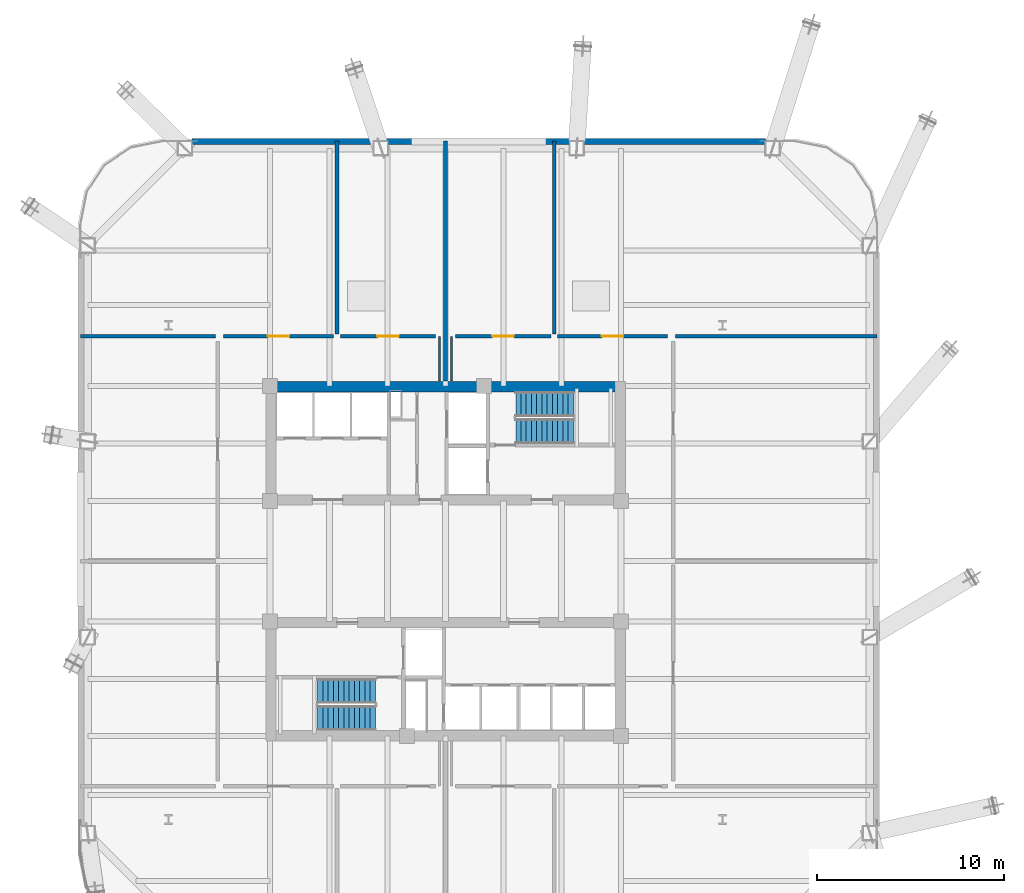
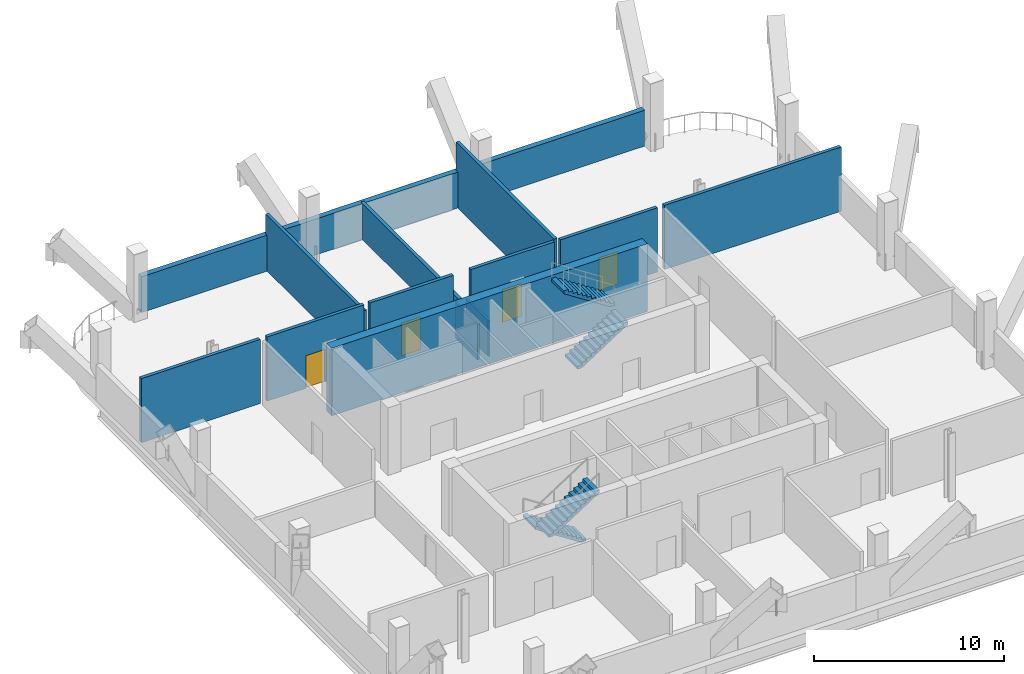
# One storey, part 5 of 8: 13 walls, 4 doors, 4 stair flights, 4 openings, 2 elements without a shape of their own.
"""IFC4 building model written with IfcOpenShell, lengths in metres."""

from ifc_helpers import new_model, si_unit, direction, frame, frame_2d, origin, place, context, subcontext, project, spatial, polyline, rectangle, outline, extrude, material, layer, layer_set, type_object, element, fill, aggregate, save


model = new_model("IFC4")

# Units and contexts
model_context = context("Model", 3, precision=1e-05, world=origin(), true_north=direction((0.0, 1.0)))
body_context = subcontext(model_context, "Body", "Model", "MODEL_VIEW")
ifc_project = project(units=[si_unit("LENGTHUNIT", "METRE"), si_unit("AREAUNIT", "SQUARE_METRE"), si_unit("VOLUMEUNIT", "CUBIC_METRE"), si_unit("PLANEANGLEUNIT", "RADIAN"), si_unit("MASSUNIT", "GRAM", prefix="KILO")], contexts=[model_context])

# Site, building, storey
site_placement = place(None, origin())
site = spatial("IfcSite", under=ifc_project, at=site_placement, CompositionType="ELEMENT")
building_placement = place(site_placement, origin())
building = spatial("IfcBuilding", under=site, at=building_placement, Name="Qhalaya Broadcast Tower", CompositionType="ELEMENT")
storey_placement = place(building_placement, frame((0.0, 0.0, 65.10009765625)))
storey = spatial("IfcBuildingStorey", under=building, at=storey_placement, Name="L18", CompositionType="ELEMENT", Elevation=65.10009765625)

# Wall
ifc_material_1 = material(Name="Gypsum Acoustic Partition")
ifc_layer_1 = layer(ifc_material_1, 0.199951171875, Name="Gypsum Acoustic Partition")
ifc_layer_set_1 = layer_set([ifc_layer_1], Name="Gypsum Acoustic Partition")
wall_type_1 = type_object("IfcWallType", Name="Firefighting Lobby & Stair Enclosure Wall 200", PredefinedType="PARTITIONING", material=ifc_layer_set_1)
wall_1_placement = place(storey_placement, frame((0.0, 10.239990234375, 0.0), z_axis=(0.0, 0.0, 1.0), x_axis=(0.0, 1.0, 0.0)))
element("IfcWall", 1, at=wall_1_placement, inside=storey, type_object=wall_type_1, Name="L18 Partition Wall W-OBN", PredefinedType="PARTITIONING", context=body_context, shape_type="SweptSolid", body=[
    extrude(rectangle(XDim=12.81005859375, YDim=0.199951171875, at=frame_2d((6.405029296875, 0.0))), origin(), (0.0, 0.0, 1.0), 2.309814453125),
])

# Wall, opening, door
wall_2_placement = place(storey_placement, frame((-11.8701171875, 12.6201171875, 0.0), z_axis=(0.0, 0.0, 1.0), x_axis=(1.0, 0.0, 0.0)))
wall_2 = element("IfcWall", 2, at=wall_2_placement, inside=storey, type_object=wall_type_1, Name="L18 Partition Wall W-PCN0", PredefinedType="PARTITIONING", context=body_context, shape_type="SweptSolid", body=[
    extrude(rectangle(XDim=5.89013671875, YDim=0.199951171875, at=frame_2d((2.945068359375, 0.0))), origin(), (0.0, 0.0, 1.0), 4.1298828125),
])
opening_1_placement = place(wall_2_placement, frame((2.3701171875, 0.0, 0.0)))
opening_1 = element("IfcOpeningElement", 3, at=opening_1_placement, cuts=wall_2, Name="Opening D05", PredefinedType="OPENING", context=body_context, shape_type="SweptSolid", body=[
    extrude(rectangle(XDim=1.14990234375, YDim=2.10009765625, at=frame_2d((0.574951171875, 1.050048828125))), frame((0.0, 0.112060546875, 0.0), z_axis=(0.0, -1.0, 0.0), x_axis=(1.0, 0.0, 0.0)), (0.0, 0.0, 1.0), 0.223876953125),
])
ifc_material_2 = material(Name="Fire-Rated Steel Door", Category="steel")
door_type = type_object("IfcDoorType", Name="Refuge & Plant Room Fire Door D05", OperationType="NOTDEFINED", PredefinedType="DOOR", material=ifc_material_2)
door_1_placement = place(opening_1_placement, origin())
door_1 = element("IfcDoor", 4, at=door_1_placement, inside=storey, type_object=door_type, Name="L18 Door D-PCN0", OperationType="SINGLE_SWING_LEFT", OverallHeight=2.10009765625, OverallWidth=1.14990234375, PredefinedType="DOOR", context=body_context, shape_type="SweptSolid", body=[
    extrude(rectangle(XDim=1.14990234375, YDim=2.10009765625, at=frame_2d((0.574951171875, 1.050048828125))), frame((0.0, 0.02490234375, 0.0), z_axis=(0.0, -1.0, 0.0), x_axis=(1.0, 0.0, 0.0)), (0.0, 0.0, 1.0), 0.050048828125),
])
fill(opening_1, door_1)

# Wall
wall_3_placement = place(storey_placement, frame((-5.800048828125, 12.739990234375, 0.0), z_axis=(0.0, 0.0, 1.0), x_axis=(0.0, 1.0, 0.0)))
element("IfcWall", 5, at=wall_3_placement, inside=storey, type_object=wall_type_1, Name="L18 Partition Wall W-PDN1", PredefinedType="PARTITIONING", context=body_context, shape_type="SweptSolid", body=[
    extrude(rectangle(XDim=10.31005859375, YDim=0.199951171875, at=frame_2d((5.155029296875, 0.0))), origin(), (0.0, 0.0, 1.0), 3.573974609375),
])

# Wall, opening, door
wall_4_placement = place(storey_placement, frame((-5.6201171875, 12.6201171875, 0.0), z_axis=(0.0, 0.0, 1.0), x_axis=(1.0, 0.0, 0.0)))
wall_4 = element("IfcWall", 6, at=wall_4_placement, inside=storey, type_object=wall_type_1, Name="L18 Partition Wall W-PCN1", PredefinedType="PARTITIONING", context=body_context, shape_type="SweptSolid", body=[
    extrude(rectangle(XDim=5.090087890625, YDim=0.199951171875, at=frame_2d((2.544921875, 0.0))), origin(), (0.0, 0.0, 1.0), 4.1298828125),
])
opening_2_placement = place(wall_4_placement, frame((1.969970703125, 0.0, 0.0)))
opening_2 = element("IfcOpeningElement", 7, at=opening_2_placement, cuts=wall_4, Name="Opening D05", PredefinedType="OPENING", context=body_context, shape_type="SweptSolid", body=[
    extrude(rectangle(XDim=1.14990234375, YDim=2.10009765625, at=frame_2d((0.574951171875, 1.050048828125))), frame((0.0, 0.112060546875, 0.0), z_axis=(0.0, -1.0, 0.0), x_axis=(1.0, 0.0, 0.0)), (0.0, 0.0, 1.0), 0.223876953125),
])
door_2_placement = place(opening_2_placement, origin())
door_2 = element("IfcDoor", 8, at=door_2_placement, inside=storey, type_object=door_type, Name="L18 Door D-PCN1", OperationType="SINGLE_SWING_LEFT", OverallHeight=2.10009765625, OverallWidth=1.14990234375, PredefinedType="DOOR", context=body_context, shape_type="SweptSolid", body=[
    extrude(rectangle(XDim=1.14990234375, YDim=2.10009765625, at=frame_2d((0.574951171875, 1.050048828125))), frame((0.0, 0.02490234375, 0.0), z_axis=(0.0, -1.0, 0.0), x_axis=(1.0, 0.0, 0.0)), (0.0, 0.0, 1.0), 0.050048828125),
])
fill(opening_2, door_2)

wall_5_placement = place(storey_placement, frame((0.530029296875, 12.6201171875, 0.0), z_axis=(0.0, 0.0, 1.0), x_axis=(1.0, 0.0, 0.0)))
wall_5 = element("IfcWall", 9, at=wall_5_placement, inside=storey, type_object=wall_type_1, Name="L18 Partition Wall W-PCN2", PredefinedType="PARTITIONING", context=body_context, shape_type="SweptSolid", body=[
    extrude(rectangle(XDim=5.090087890625, YDim=0.199951171875, at=frame_2d((2.544921875, 0.0))), origin(), (0.0, 0.0, 1.0), 4.1298828125),
])
opening_3_placement = place(wall_5_placement, frame((1.969970703125, 0.0, 0.0)))
opening_3 = element("IfcOpeningElement", 10, at=opening_3_placement, cuts=wall_5, Name="Opening D05", PredefinedType="OPENING", context=body_context, shape_type="SweptSolid", body=[
    extrude(rectangle(XDim=1.14990234375, YDim=2.10009765625, at=frame_2d((0.574951171875, 1.050048828125))), frame((0.0, 0.112060546875, 0.0), z_axis=(0.0, -1.0, 0.0), x_axis=(1.0, 0.0, 0.0)), (0.0, 0.0, 1.0), 0.223876953125),
])
door_3_placement = place(opening_3_placement, origin())
door_3 = element("IfcDoor", 11, at=door_3_placement, inside=storey, type_object=door_type, Name="L18 Door D-PCN2", OperationType="SINGLE_SWING_LEFT", OverallHeight=2.10009765625, OverallWidth=1.14990234375, PredefinedType="DOOR", context=body_context, shape_type="SweptSolid", body=[
    extrude(rectangle(XDim=1.14990234375, YDim=2.10009765625, at=frame_2d((0.574951171875, 1.050048828125))), frame((0.0, 0.02490234375, 0.0), z_axis=(0.0, -1.0, 0.0), x_axis=(1.0, 0.0, 0.0)), (0.0, 0.0, 1.0), 0.050048828125),
])
fill(opening_3, door_3)

# Wall
wall_6_placement = place(storey_placement, frame((5.800048828125, 12.739990234375, 0.0), z_axis=(0.0, 0.0, 1.0), x_axis=(0.0, 1.0, 0.0)))
element("IfcWall", 12, at=wall_6_placement, inside=storey, type_object=wall_type_1, Name="L18 Partition Wall W-PDN3", PredefinedType="PARTITIONING", context=body_context, shape_type="SweptSolid", body=[
    extrude(rectangle(XDim=10.31005859375, YDim=0.199951171875, at=frame_2d((5.155029296875, 0.0))), origin(), (0.0, 0.0, 1.0), 4.1298828125),
])

# Wall, opening, door
wall_7_placement = place(storey_placement, frame((5.97998046875, 12.6201171875, 0.0), z_axis=(0.0, 0.0, 1.0), x_axis=(1.0, 0.0, 0.0)))
wall_7 = element("IfcWall", 13, at=wall_7_placement, inside=storey, type_object=wall_type_1, Name="L18 Partition Wall W-PCN3", PredefinedType="PARTITIONING", context=body_context, shape_type="SweptSolid", body=[
    extrude(rectangle(XDim=5.89013671875, YDim=0.199951171875, at=frame_2d((2.945068359375, 0.0))), origin(), (0.0, 0.0, 1.0), 4.1298828125),
])
opening_4_placement = place(wall_7_placement, frame((2.3701171875, 0.0, 0.0)))
opening_4 = element("IfcOpeningElement", 14, at=opening_4_placement, cuts=wall_7, Name="Opening D05", PredefinedType="OPENING", context=body_context, shape_type="SweptSolid", body=[
    extrude(rectangle(XDim=1.14990234375, YDim=2.10009765625, at=frame_2d((0.574951171875, 1.050048828125))), frame((0.0, 0.112060546875, 0.0), z_axis=(0.0, -1.0, 0.0), x_axis=(1.0, 0.0, 0.0)), (0.0, 0.0, 1.0), 0.223876953125),
])
door_4_placement = place(opening_4_placement, origin())
door_4 = element("IfcDoor", 15, at=door_4_placement, inside=storey, type_object=door_type, Name="L18 Door D-PCN3", OperationType="SINGLE_SWING_LEFT", OverallHeight=2.10009765625, OverallWidth=1.14990234375, PredefinedType="DOOR", context=body_context, shape_type="SweptSolid", body=[
    extrude(rectangle(XDim=1.14990234375, YDim=2.10009765625, at=frame_2d((0.574951171875, 1.050048828125))), frame((0.0, 0.02490234375, 0.0), z_axis=(0.0, -1.0, 0.0), x_axis=(1.0, 0.0, 0.0)), (0.0, 0.0, 1.0), 0.050048828125),
])
fill(opening_4, door_4)

# Walls
wall_8_placement = place(storey_placement, frame((-19.510009765625, 12.6201171875, 0.0), z_axis=(0.0, 0.0, 1.0), x_axis=(1.0, 0.0, 0.0)))
element("IfcWall", 16, at=wall_8_placement, inside=storey, type_object=wall_type_1, Name="L18 Partition Wall W-PBNW", PredefinedType="PARTITIONING", context=body_context, shape_type="SweptSolid", body=[
    extrude(rectangle(XDim=7.219970703125, YDim=0.199951171875, at=frame_2d((3.60986328125, 0.0))), origin(), (0.0, 0.0, 1.0), 4.1298828125),
])
wall_9_placement = place(storey_placement, frame((12.2900390625, 12.6201171875, 0.0), z_axis=(0.0, 0.0, 1.0), x_axis=(1.0, 0.0, 0.0)))
element("IfcWall", 17, at=wall_9_placement, inside=storey, type_object=wall_type_1, Name="L18 Partition Wall W-PBNE", PredefinedType="PARTITIONING", context=body_context, shape_type="SweptSolid", body=[
    extrude(rectangle(XDim=10.760009765625, YDim=0.199951171875, at=frame_2d((5.3798828125, 0.0))), origin(), (0.0, 0.0, 1.0), 4.1298828125),
])
ifc_material_3 = material(Name="Concrete C60/75", Category="concrete")
ifc_layer_2 = layer(ifc_material_3, 0.550048828125, Name="Concrete C60/75")
ifc_layer_set_2 = layer_set([ifc_layer_2], Name="Concrete C60/75")
wall_type_2 = type_object("IfcWallType", Name="Lower Split-Core Shear Wall 550", PredefinedType="SHEAR", material=ifc_layer_set_2)
wall_10_placement = place(storey_placement, frame((-9.60009765625, 9.925048828125, 0.0), z_axis=(0.0, 0.0, 1.0), x_axis=(1.0, 0.0, 0.0)))
element("IfcWall", 18, at=wall_10_placement, inside=storey, type_object=wall_type_2, Name="L18 Split-Core Shear Wall CW-NN", PredefinedType="SHEAR", context=body_context, shape_type="SweptSolid", body=[
    extrude(rectangle(XDim=19.2001953125, YDim=0.550048828125, at=frame_2d((9.60009765625, 0.0))), origin(), (0.0, 0.0, 1.0), 4.349853515625),
])
ifc_layer_3 = layer(ifc_material_1, 0.1201171875, Name="Gypsum Acoustic Partition")
ifc_layer_set_3 = layer_set([ifc_layer_3], Name="Gypsum Acoustic Partition")
wall_type_3 = type_object("IfcWallType", Name="Office, Booth & Sanitary Partition 120", PredefinedType="PARTITIONING", material=ifc_layer_set_3)
for number, where, z_axis, x_axis, name in (
    (19, (-0.320068359375, 10.239990234375, 0.0), (0.0, 0.0, 1.0), (0.0, 1.0, 0.0), "L18 Partition Wall W-OBNCW"),
    (20, (0.320068359375, 10.239990234375, 0.0), (0.0, 0.0, 1.0), (0.0, 1.0, 0.0), "L18 Partition Wall W-OBNCE"),
):
    element("IfcWall", number, at=place(storey_placement, frame(where, z_axis=z_axis, x_axis=x_axis)), inside=storey, type_object=wall_type_3, Name=name, PredefinedType="PARTITIONING", context=body_context, shape_type="SweptSolid", body=[
        extrude(rectangle(XDim=2.360107421875, YDim=0.1201171875, at=frame_2d((1.18017578125, 0.0))), origin(), (0.0, 0.0, 1.0), 2.309814453125),
    ])
ifc_material_4 = material(Name="Precast Concrete C40/50", Category="concrete")
ifc_layer_4 = layer(ifc_material_4, 0.320068359375, Name="Precast Concrete C40/50")
ifc_layer_set_4 = layer_set([ifc_layer_4], Name="Precast Concrete C40/50")
wall_type_4 = type_object("IfcWallType", Name="Recessed Neck Insulated Exterior Wall 320", PredefinedType="SOLIDWALL", material=ifc_layer_set_4)
wall_11_placement = place(storey_placement, frame((-13.5419921875, 23.030029296875, 0.0), z_axis=(0.0, 0.0, 1.0), x_axis=(1.0, 0.0, 0.0)))
element("IfcWall", 21, at=wall_11_placement, inside=storey, type_object=wall_type_4, Name="L18 Exterior Facade Wall N", PredefinedType="SOLIDWALL", context=body_context, shape_type="SweptSolid", body=[
    extrude(rectangle(XDim=30.6240234375, YDim=0.320068359375, at=frame_2d((15.31201171875, 0.0))), origin(), (0.0, 0.0, 1.0), 2.309814453125),
])

# Stair, stair flights
ifc_material_5 = material(Name="Concrete C40/50", Category="concrete")
stair_type = type_object("IfcStairType", Name="Protected Dogleg Core Stair 4200", PredefinedType="TWO_STRAIGHT_RUN_STAIR", material=ifc_material_5)
stair_1_placement = place(storey_placement, origin())
stair_1 = element("IfcStair", 22, at=stair_1_placement, inside=storey, type_object=stair_type, Name="L18 North Core Exit Stair ST-1", PredefinedType="TWO_STRAIGHT_RUN_STAIR")
stair_flight_type = type_object("IfcStairFlightType", Name="Precast Concrete Stair Flight 4200", PredefinedType="STRAIGHT", material=ifc_material_4)
stair_flight_1_placement = place(storey_placement, frame((3.75, 7.5400390625, 0.0), z_axis=(0.0, 0.0, 1.0), x_axis=(1.0, 0.0, 0.0)))
stair_flight_1 = element("IfcStairFlight", 23, at=stair_flight_1_placement, type_object=stair_flight_type, Name="ST-1 flight 1", NumberOfRisers=12, NumberOfTreads=11, PredefinedType="STRAIGHT", RiserHeight=0.18125, TreadLength=0.28, context=body_context, shape_type="SweptSolid", body=[
    extrude(outline(polyline([(0.0, 0.0), (0.0, 0.18115234375), (0.280029296875, 0.18115234375), (0.280029296875, 0.362548828125), (0.56005859375, 0.362548828125), (0.56005859375, 0.543701171875), (0.840087890625, 0.543701171875), (0.840087890625, 0.72509765625), (1.1201171875, 0.72509765625), (1.1201171875, 0.90625), (1.39990234375, 0.90625), (1.39990234375, 1.08740234375), (1.679931640625, 1.08740234375), (1.679931640625, 1.268798828125), (1.9599609375, 1.268798828125), (1.9599609375, 1.449951171875), (2.239990234375, 1.449951171875), (2.239990234375, 1.63134765625), (2.52001953125, 1.63134765625), (2.52001953125, 1.8125), (2.800048828125, 1.8125), (2.800048828125, 1.99365234375), (3.080078125, 1.99365234375), (3.080078125, 2.175048828125), (3.080078125, 1.815185546875), (0.27587890625, 0.0), (0.0, 0.0)])), frame((0.0, 0.66015625, 0.0), z_axis=(0.0, -1.0, 0.0), x_axis=(1.0, 0.0, 0.0)), (0.0, 0.0, 1.0), 1.320068359375),
])
stair_flight_2_placement = place(storey_placement, frame((6.830078125, 8.97998046875, 2.1748046875), z_axis=(0.0, 0.0, 1.0), x_axis=(-1.0, 0.0, 0.0)))
stair_flight_2 = element("IfcStairFlight", 24, at=stair_flight_2_placement, type_object=stair_flight_type, Name="ST-1 flight 2", NumberOfRisers=12, NumberOfTreads=11, PredefinedType="STRAIGHT", RiserHeight=0.18125, TreadLength=0.28, context=body_context, shape_type="SweptSolid", body=[
    extrude(outline(polyline([(0.0, 0.0), (0.0, 0.18115234375), (0.280029296875, 0.18115234375), (0.280029296875, 0.362548828125), (0.56005859375, 0.362548828125), (0.56005859375, 0.543701171875), (0.840087890625, 0.543701171875), (0.840087890625, 0.72509765625), (1.1201171875, 0.72509765625), (1.1201171875, 0.90625), (1.39990234375, 0.90625), (1.39990234375, 1.08740234375), (1.679931640625, 1.08740234375), (1.679931640625, 1.268798828125), (1.9599609375, 1.268798828125), (1.9599609375, 1.449951171875), (2.239990234375, 1.449951171875), (2.239990234375, 1.63134765625), (2.52001953125, 1.63134765625), (2.52001953125, 1.8125), (2.800048828125, 1.8125), (2.800048828125, 1.99365234375), (3.080078125, 1.99365234375), (3.080078125, 2.175048828125), (3.080078125, 1.815185546875), (0.27587890625, 0.0), (0.0, 0.0)])), frame((0.0, 0.66015625, 0.0), z_axis=(0.0, -1.0, 0.0), x_axis=(1.0, 0.0, 0.0)), (0.0, 0.0, 1.0), 1.320068359375),
])
aggregate(stair_1, [stair_flight_1, stair_flight_2])

stair_2_placement = place(storey_placement, origin())
stair_2 = element("IfcStair", 25, at=stair_2_placement, inside=storey, type_object=stair_type, Name="L18 South Core Exit Stair ST-2", PredefinedType="TWO_STRAIGHT_RUN_STAIR")
stair_flight_3_placement = place(storey_placement, frame((-3.75, -6.340087890625, 0.0), z_axis=(0.0, 0.0, 1.0), x_axis=(-1.0, 0.0, 0.0)))
stair_flight_3 = element("IfcStairFlight", 26, at=stair_flight_3_placement, type_object=stair_flight_type, Name="ST-2 flight 1", NumberOfRisers=12, NumberOfTreads=11, PredefinedType="STRAIGHT", RiserHeight=0.18125, TreadLength=0.28, context=body_context, shape_type="SweptSolid", body=[
    extrude(outline(polyline([(0.0, 0.0), (0.0, 0.18115234375), (0.280029296875, 0.18115234375), (0.280029296875, 0.362548828125), (0.56005859375, 0.362548828125), (0.56005859375, 0.543701171875), (0.840087890625, 0.543701171875), (0.840087890625, 0.72509765625), (1.1201171875, 0.72509765625), (1.1201171875, 0.90625), (1.39990234375, 0.90625), (1.39990234375, 1.08740234375), (1.679931640625, 1.08740234375), (1.679931640625, 1.268798828125), (1.9599609375, 1.268798828125), (1.9599609375, 1.449951171875), (2.239990234375, 1.449951171875), (2.239990234375, 1.63134765625), (2.52001953125, 1.63134765625), (2.52001953125, 1.8125), (2.800048828125, 1.8125), (2.800048828125, 1.99365234375), (3.080078125, 1.99365234375), (3.080078125, 2.175048828125), (3.080078125, 1.815185546875), (0.27587890625, 0.0), (0.0, 0.0)])), frame((0.0, 0.66015625, 0.0), z_axis=(0.0, -1.0, 0.0), x_axis=(1.0, 0.0, 0.0)), (0.0, 0.0, 1.0), 1.320068359375),
])
stair_flight_4_placement = place(storey_placement, frame((-6.830078125, -7.780029296875, 2.1748046875), z_axis=(0.0, 0.0, 1.0), x_axis=(1.0, 0.0, 0.0)))
stair_flight_4 = element("IfcStairFlight", 27, at=stair_flight_4_placement, type_object=stair_flight_type, Name="ST-2 flight 2", NumberOfRisers=12, NumberOfTreads=11, PredefinedType="STRAIGHT", RiserHeight=0.18125, TreadLength=0.28, context=body_context, shape_type="SweptSolid", body=[
    extrude(outline(polyline([(0.0, 0.0), (0.0, 0.18115234375), (0.280029296875, 0.18115234375), (0.280029296875, 0.362548828125), (0.56005859375, 0.362548828125), (0.56005859375, 0.543701171875), (0.840087890625, 0.543701171875), (0.840087890625, 0.72509765625), (1.1201171875, 0.72509765625), (1.1201171875, 0.90625), (1.39990234375, 0.90625), (1.39990234375, 1.08740234375), (1.679931640625, 1.08740234375), (1.679931640625, 1.268798828125), (1.9599609375, 1.268798828125), (1.9599609375, 1.449951171875), (2.239990234375, 1.449951171875), (2.239990234375, 1.63134765625), (2.52001953125, 1.63134765625), (2.52001953125, 1.8125), (2.800048828125, 1.8125), (2.800048828125, 1.99365234375), (3.080078125, 1.99365234375), (3.080078125, 2.175048828125), (3.080078125, 1.815185546875), (0.27587890625, 0.0), (0.0, 0.0)])), frame((0.0, 0.66015625, 0.0), z_axis=(0.0, -1.0, 0.0), x_axis=(1.0, 0.0, 0.0)), (0.0, 0.0, 1.0), 1.320068359375),
])
aggregate(stair_2, [stair_flight_3, stair_flight_4])

save(model, "model.ifc")
